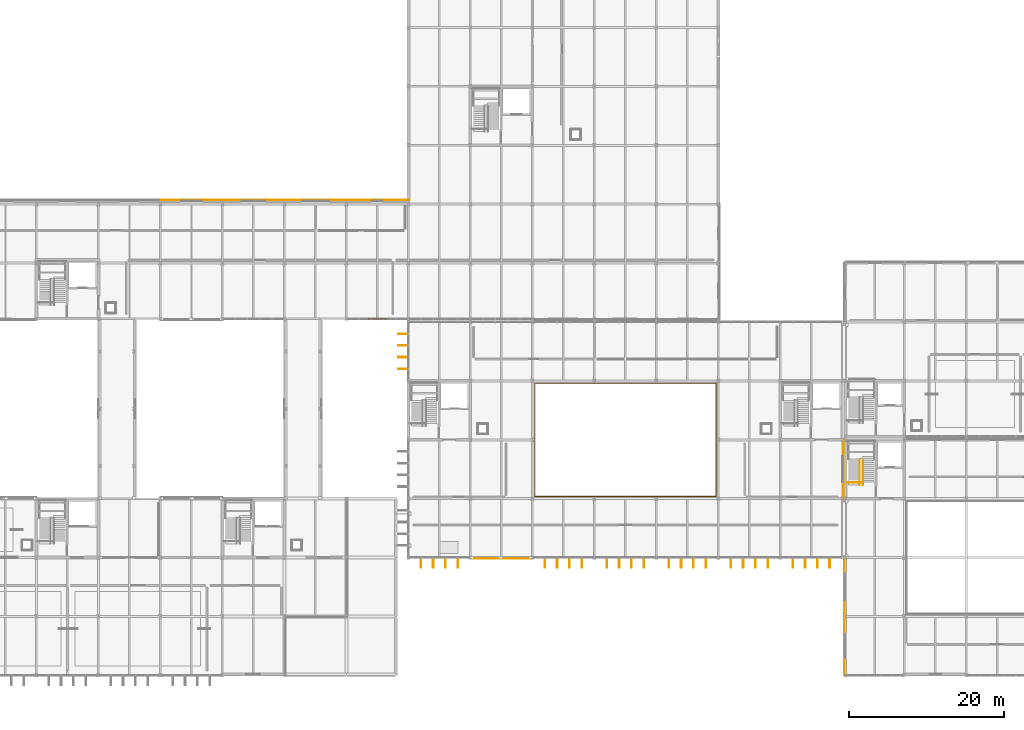
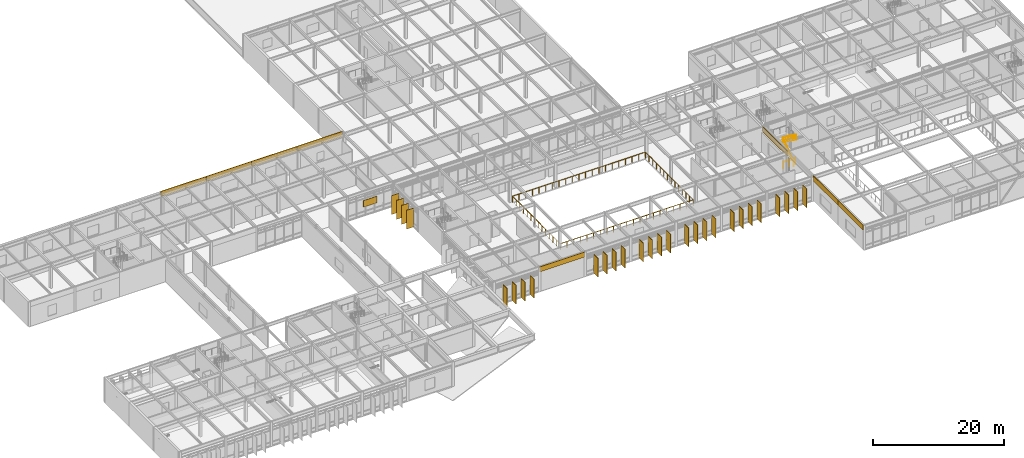
# One storey, part 98 of 104: 29 shading devices, 8 coverings, 4 railings.
"""IFC4 building model written with IfcOpenShell, lengths in metres."""

from ifc_helpers import new_model, si_unit, direction, frame, origin, origin_2d, place, context, subcontext, project, spatial, rectangle, circle, extrude, material, layer, layer_set, type_object, element, save


model = new_model("IFC4")

# Units and contexts
model_context = context("Model", 3, precision=1e-05, world=origin(), true_north=direction((0.0, 1.0)))
body_context = subcontext(model_context, "Body", "Model", "MODEL_VIEW")
ifc_project = project(units=[si_unit("LENGTHUNIT", "METRE"), si_unit("AREAUNIT", "SQUARE_METRE"), si_unit("VOLUMEUNIT", "CUBIC_METRE"), si_unit("PLANEANGLEUNIT", "RADIAN"), si_unit("MASSUNIT", "GRAM", prefix="KILO")], contexts=[model_context])

# Site, building, storey
site_placement = place(None, origin())
site = spatial("IfcSite", under=ifc_project, at=site_placement, CompositionType="ELEMENT")
building_placement = place(site_placement, origin())
building = spatial("IfcBuilding", under=site, at=building_placement, Name="Zulena Civic Courthouse", CompositionType="ELEMENT")
storey_placement = place(building_placement, frame((0.0, 0.0, 10.800048828125)))
storey = spatial("IfcBuildingStorey", under=building, at=storey_placement, Name="L02", CompositionType="ELEMENT", Elevation=10.800048828125)

# Shading devices
ifc_material_1 = material(Name="Bronze anodised thermally broken aluminium AA6063-T6", Category="aluminium")
shading_device_type_1 = type_object("IfcShadingDeviceType", Name="AcousticStormLouvre_1", PredefinedType="JALOUSIE", material=ifc_material_1)
shading_device_placement = place(storey_placement, frame((64.0, 46.0, 1.60009765625), z_axis=(0.0, 0.0, 1.0), x_axis=(1.0, 0.0, 0.0)))
element("IfcShadingDevice", 1, at=shading_device_placement, inside=storey, type_object=shading_device_type_1, Name="louvre:V5:L02", PredefinedType="JALOUSIE", context=body_context, shape_type="SweptSolid", body=[
    extrude(rectangle(XDim=2.39990234375, YDim=0.14990234375, at=origin_2d()), origin(), (0.0, 0.0, 1.0), 1.199951171875),
])
ifc_material_2 = material(Name="Gold anodised architectural aluminium AA6063-T6", Category="aluminium")
shading_device_type_2 = type_object("IfcShadingDeviceType", Name="GoldSolarFin_350", PredefinedType="USERDEFINED", material=ifc_material_2)
for number, where, z_axis, x_axis, name in (
    (2, (67.31494140625, 39.5380859375, 0.050048828125), (0.0, 0.0, 1.0), (-1.0, 0.0, 0.0), "fin:V4:L02:0:3:1"),
    (3, (67.31494140625, 41.0458984375, 0.050048828125), (0.0, 0.0, 1.0), (-1.0, 0.0, 0.0), "fin:V4:L02:0:3:2"),
    (4, (67.31494140625, 42.553955078125, 0.050048828125), (0.0, 0.0, 1.0), (-1.0, 0.0, 0.0), "fin:V4:L02:0:3:3"),
    (5, (67.31494140625, 44.06201171875, 0.050048828125), (0.0, 0.0, 1.0), (-1.0, 0.0, 0.0), "fin:V4:L02:0:3:4"),
    (6, (122.382080078125, 14.514892578125, 0.050048828125), (0.0, 0.0, 1.0), (0.0, -1.0, 0.0), "fin:V4:L02:3:0:1"),
    (7, (120.7939453125, 14.514892578125, 0.050048828125), (0.0, 0.0, 1.0), (0.0, -1.0, 0.0), "fin:V4:L02:3:0:2"),
    (8, (119.2060546875, 14.514892578125, 0.050048828125), (0.0, 0.0, 1.0), (0.0, -1.0, 0.0), "fin:V4:L02:3:0:3"),
    (9, (117.617919921875, 14.514892578125, 0.050048828125), (0.0, 0.0, 1.0), (0.0, -1.0, 0.0), "fin:V4:L02:3:0:4"),
    (10, (114.382080078125, 14.514892578125, 0.050048828125), (0.0, 0.0, 1.0), (0.0, -1.0, 0.0), "fin:V4:L02:3:1:1"),
    (11, (112.7939453125, 14.514892578125, 0.050048828125), (0.0, 0.0, 1.0), (0.0, -1.0, 0.0), "fin:V4:L02:3:1:2"),
    (12, (111.2060546875, 14.514892578125, 0.050048828125), (0.0, 0.0, 1.0), (0.0, -1.0, 0.0), "fin:V4:L02:3:1:3"),
    (13, (109.617919921875, 14.514892578125, 0.050048828125), (0.0, 0.0, 1.0), (0.0, -1.0, 0.0), "fin:V4:L02:3:1:4"),
    (14, (106.382080078125, 14.514892578125, 0.050048828125), (0.0, 0.0, 1.0), (0.0, -1.0, 0.0), "fin:V4:L02:3:2:1"),
    (15, (104.7939453125, 14.514892578125, 0.050048828125), (0.0, 0.0, 1.0), (0.0, -1.0, 0.0), "fin:V4:L02:3:2:2"),
    (16, (103.2060546875, 14.514892578125, 0.050048828125), (0.0, 0.0, 1.0), (0.0, -1.0, 0.0), "fin:V4:L02:3:2:3"),
    (17, (101.617919921875, 14.514892578125, 0.050048828125), (0.0, 0.0, 1.0), (0.0, -1.0, 0.0), "fin:V4:L02:3:2:4"),
    (18, (98.382080078125, 14.514892578125, 0.050048828125), (0.0, 0.0, 1.0), (0.0, -1.0, 0.0), "fin:V4:L02:3:3:1"),
    (19, (96.7939453125, 14.514892578125, 0.050048828125), (0.0, 0.0, 1.0), (0.0, -1.0, 0.0), "fin:V4:L02:3:3:2"),
    (20, (95.2060546875, 14.514892578125, 0.050048828125), (0.0, 0.0, 1.0), (0.0, -1.0, 0.0), "fin:V4:L02:3:3:3"),
    (21, (93.617919921875, 14.514892578125, 0.050048828125), (0.0, 0.0, 1.0), (0.0, -1.0, 0.0), "fin:V4:L02:3:3:4"),
    (22, (90.382080078125, 14.514892578125, 0.050048828125), (0.0, 0.0, 1.0), (0.0, -1.0, 0.0), "fin:V4:L02:3:4:1"),
    (23, (88.7939453125, 14.514892578125, 0.050048828125), (0.0, 0.0, 1.0), (0.0, -1.0, 0.0), "fin:V4:L02:3:4:2"),
    (24, (87.2060546875, 14.514892578125, 0.050048828125), (0.0, 0.0, 1.0), (0.0, -1.0, 0.0), "fin:V4:L02:3:4:3"),
    (25, (85.617919921875, 14.514892578125, 0.050048828125), (0.0, 0.0, 1.0), (0.0, -1.0, 0.0), "fin:V4:L02:3:4:4"),
    (26, (74.382080078125, 14.514892578125, 0.050048828125), (0.0, 0.0, 1.0), (0.0, -1.0, 0.0), "fin:V4:L02:3:6:1"),
    (27, (72.7939453125, 14.514892578125, 0.050048828125), (0.0, 0.0, 1.0), (0.0, -1.0, 0.0), "fin:V4:L02:3:6:2"),
    (28, (71.2060546875, 14.514892578125, 0.050048828125), (0.0, 0.0, 1.0), (0.0, -1.0, 0.0), "fin:V4:L02:3:6:3"),
    (29, (69.617919921875, 14.514892578125, 0.050048828125), (0.0, 0.0, 1.0), (0.0, -1.0, 0.0), "fin:V4:L02:3:6:4"),
):
    element("IfcShadingDevice", number, at=place(storey_placement, frame(where, z_axis=z_axis, x_axis=x_axis)), inside=storey, type_object=shading_device_type_2, Name=name, ObjectType="FIN", PredefinedType="USERDEFINED", context=body_context, shape_type="SweptSolid", body=[
        extrude(rectangle(XDim=1.25, YDim=0.080078125, at=origin_2d()), origin(), (0.0, 0.0, 1.0), 3.5),
    ])

# Railings
ifc_material_3 = material(Name="Brushed architectural steel ASTM A36", Category="steel")
railing_type_1 = type_object("IfcRailingType", Name="InteriorGuardrail_1150", PredefinedType="GUARDRAIL", material=ifc_material_3)
railing_1_placement = place(storey_placement, frame((124.580078125, 24.89990234375, 0.0)))
element("IfcRailing", 30, at=railing_1_placement, inside=storey, type_object=railing_type_1, Name="gr:wells:K1A:L02", PredefinedType="GUARDRAIL", context=body_context, shape_type="SweptSolid", body=[
    extrude(circle(Radius=0.02392578125, at=origin_2d()), frame((0.00390625, 0.0, 1.1259765625), z_axis=(1.0, 0.0, 0.0), x_axis=(0.0, 1.0, 0.0)), (0.0, 0.0, 1.0), 2.11181640625),
    extrude(circle(Radius=0.02099609375, at=origin_2d()), origin(), (0.0, 0.0, 1.0), 1.097900390625),
    extrude(circle(Radius=0.02099609375, at=origin_2d()), frame((1.06005859375, 0.0, 0.0)), (0.0, 0.0, 1.0), 1.097900390625),
    extrude(circle(Radius=0.02099609375, at=origin_2d()), frame((2.119873046875, 0.0, 0.0)), (0.0, 0.0, 1.0), 1.097900390625),
])
railing_2_placement = place(storey_placement, frame((84.300048828125, 23.10009765625, 0.0)))
element("IfcRailing", 31, at=railing_2_placement, inside=storey, type_object=railing_type_1, Name="guard:void:V4:L02:atr", PredefinedType="GUARDRAIL", context=body_context, shape_type="SweptSolid", body=[
    extrude(circle(Radius=0.02392578125, at=origin_2d()), frame((0.00390625, 0.0, 1.1259765625), z_axis=(1.0, 0.0, 0.0), x_axis=(0.0, 1.0, 0.0)), (0.0, 0.0, 1.0), 23.391845703125),
    extrude(circle(Radius=0.02392578125, at=origin_2d()), frame((23.39990234375, 0.00390625, 1.1259765625), z_axis=(0.0, 1.0, 0.0), x_axis=(-1.0, 0.0, 0.0)), (0.0, 0.0, 1.0), 14.591796875),
    extrude(circle(Radius=0.02392578125, at=origin_2d()), frame((23.39599609375, 14.599853515625, 1.1259765625), z_axis=(-1.0, 0.0, 0.0), x_axis=(0.0, -1.0, 0.0)), (0.0, 0.0, 1.0), 23.391845703125),
    extrude(circle(Radius=0.02392578125, at=origin_2d()), frame((0.0, 14.595947265625, 1.1259765625), z_axis=(0.0, -1.0, 0.0), x_axis=(1.0, 0.0, 0.0)), (0.0, 0.0, 1.0), 14.591796875),
    extrude(circle(Radius=0.02099609375, at=origin_2d()), origin(), (0.0, 0.0, 1.0), 1.097900390625),
    extrude(circle(Radius=0.02099609375, at=origin_2d()), frame((1.169921875, 0.0, 0.0)), (0.0, 0.0, 1.0), 1.097900390625),
    extrude(circle(Radius=0.02099609375, at=origin_2d()), frame((2.340087890625, 0.0, 0.0)), (0.0, 0.0, 1.0), 1.097900390625),
    extrude(circle(Radius=0.02099609375, at=origin_2d()), frame((3.510009765625, 0.0, 0.0)), (0.0, 0.0, 1.0), 1.097900390625),
    extrude(circle(Radius=0.02099609375, at=origin_2d()), frame((4.679931640625, 0.0, 0.0)), (0.0, 0.0, 1.0), 1.097900390625),
    extrude(circle(Radius=0.02099609375, at=origin_2d()), frame((5.85009765625, 0.0, 0.0)), (0.0, 0.0, 1.0), 1.097900390625),
    extrude(circle(Radius=0.02099609375, at=origin_2d()), frame((7.02001953125, 0.0, 0.0)), (0.0, 0.0, 1.0), 1.097900390625),
    extrude(circle(Radius=0.02099609375, at=origin_2d()), frame((8.18994140625, 0.0, 0.0)), (0.0, 0.0, 1.0), 1.097900390625),
    extrude(circle(Radius=0.02099609375, at=origin_2d()), frame((9.35986328125, 0.0, 0.0)), (0.0, 0.0, 1.0), 1.097900390625),
    extrude(circle(Radius=0.02099609375, at=origin_2d()), frame((10.530029296875, 0.0, 0.0)), (0.0, 0.0, 1.0), 1.097900390625),
    extrude(circle(Radius=0.02099609375, at=origin_2d()), frame((11.699951171875, 0.0, 0.0)), (0.0, 0.0, 1.0), 1.097900390625),
    extrude(circle(Radius=0.02099609375, at=origin_2d()), frame((12.869873046875, 0.0, 0.0)), (0.0, 0.0, 1.0), 1.097900390625),
    extrude(circle(Radius=0.02099609375, at=origin_2d()), frame((14.0400390625, 0.0, 0.0)), (0.0, 0.0, 1.0), 1.097900390625),
    extrude(circle(Radius=0.02099609375, at=origin_2d()), frame((15.2099609375, 0.0, 0.0)), (0.0, 0.0, 1.0), 1.097900390625),
    extrude(circle(Radius=0.02099609375, at=origin_2d()), frame((16.3798828125, 0.0, 0.0)), (0.0, 0.0, 1.0), 1.097900390625),
    extrude(circle(Radius=0.02099609375, at=origin_2d()), frame((17.5498046875, 0.0, 0.0)), (0.0, 0.0, 1.0), 1.097900390625),
    extrude(circle(Radius=0.02099609375, at=origin_2d()), frame((18.719970703125, 0.0, 0.0)), (0.0, 0.0, 1.0), 1.097900390625),
    extrude(circle(Radius=0.02099609375, at=origin_2d()), frame((19.889892578125, 0.0, 0.0)), (0.0, 0.0, 1.0), 1.097900390625),
    extrude(circle(Radius=0.02099609375, at=origin_2d()), frame((21.059814453125, 0.0, 0.0)), (0.0, 0.0, 1.0), 1.097900390625),
    extrude(circle(Radius=0.02099609375, at=origin_2d()), frame((22.22998046875, 0.0, 0.0)), (0.0, 0.0, 1.0), 1.097900390625),
    extrude(circle(Radius=0.02099609375, at=origin_2d()), frame((23.39990234375, 0.0, 0.0)), (0.0, 0.0, 1.0), 1.097900390625),
    extrude(circle(Radius=0.02099609375, at=origin_2d()), frame((23.39990234375, 1.123046875, 0.0)), (0.0, 0.0, 1.0), 1.097900390625),
    extrude(circle(Radius=0.02099609375, at=origin_2d()), frame((23.39990234375, 2.24609375, 0.0)), (0.0, 0.0, 1.0), 1.097900390625),
    extrude(circle(Radius=0.02099609375, at=origin_2d()), frame((23.39990234375, 3.369140625, 0.0)), (0.0, 0.0, 1.0), 1.097900390625),
    extrude(circle(Radius=0.02099609375, at=origin_2d()), frame((23.39990234375, 4.4921875, 0.0)), (0.0, 0.0, 1.0), 1.097900390625),
    extrude(circle(Radius=0.02099609375, at=origin_2d()), frame((23.39990234375, 5.615234375, 0.0)), (0.0, 0.0, 1.0), 1.097900390625),
    extrude(circle(Radius=0.02099609375, at=origin_2d()), frame((23.39990234375, 6.73828125, 0.0)), (0.0, 0.0, 1.0), 1.097900390625),
    extrude(circle(Radius=0.02099609375, at=origin_2d()), frame((23.39990234375, 7.861572265625, 0.0)), (0.0, 0.0, 1.0), 1.097900390625),
    extrude(circle(Radius=0.02099609375, at=origin_2d()), frame((23.39990234375, 8.984619140625, 0.0)), (0.0, 0.0, 1.0), 1.097900390625),
    extrude(circle(Radius=0.02099609375, at=origin_2d()), frame((23.39990234375, 10.107666015625, 0.0)), (0.0, 0.0, 1.0), 1.097900390625),
    extrude(circle(Radius=0.02099609375, at=origin_2d()), frame((23.39990234375, 11.230712890625, 0.0)), (0.0, 0.0, 1.0), 1.097900390625),
    extrude(circle(Radius=0.02099609375, at=origin_2d()), frame((23.39990234375, 12.353759765625, 0.0)), (0.0, 0.0, 1.0), 1.097900390625),
    extrude(circle(Radius=0.02099609375, at=origin_2d()), frame((23.39990234375, 13.476806640625, 0.0)), (0.0, 0.0, 1.0), 1.097900390625),
    extrude(circle(Radius=0.02099609375, at=origin_2d()), frame((23.39990234375, 14.599853515625, 0.0)), (0.0, 0.0, 1.0), 1.097900390625),
    extrude(circle(Radius=0.02099609375, at=origin_2d()), frame((22.22998046875, 14.599853515625, 0.0)), (0.0, 0.0, 1.0), 1.097900390625),
    extrude(circle(Radius=0.02099609375, at=origin_2d()), frame((21.059814453125, 14.599853515625, 0.0)), (0.0, 0.0, 1.0), 1.097900390625),
    extrude(circle(Radius=0.02099609375, at=origin_2d()), frame((19.889892578125, 14.599853515625, 0.0)), (0.0, 0.0, 1.0), 1.097900390625),
    extrude(circle(Radius=0.02099609375, at=origin_2d()), frame((18.719970703125, 14.599853515625, 0.0)), (0.0, 0.0, 1.0), 1.097900390625),
    extrude(circle(Radius=0.02099609375, at=origin_2d()), frame((17.5498046875, 14.599853515625, 0.0)), (0.0, 0.0, 1.0), 1.097900390625),
    extrude(circle(Radius=0.02099609375, at=origin_2d()), frame((16.3798828125, 14.599853515625, 0.0)), (0.0, 0.0, 1.0), 1.097900390625),
    extrude(circle(Radius=0.02099609375, at=origin_2d()), frame((15.2099609375, 14.599853515625, 0.0)), (0.0, 0.0, 1.0), 1.097900390625),
    extrude(circle(Radius=0.02099609375, at=origin_2d()), frame((14.0400390625, 14.599853515625, 0.0)), (0.0, 0.0, 1.0), 1.097900390625),
    extrude(circle(Radius=0.02099609375, at=origin_2d()), frame((12.869873046875, 14.599853515625, 0.0)), (0.0, 0.0, 1.0), 1.097900390625),
    extrude(circle(Radius=0.02099609375, at=origin_2d()), frame((11.699951171875, 14.599853515625, 0.0)), (0.0, 0.0, 1.0), 1.097900390625),
    extrude(circle(Radius=0.02099609375, at=origin_2d()), frame((10.530029296875, 14.599853515625, 0.0)), (0.0, 0.0, 1.0), 1.097900390625),
    extrude(circle(Radius=0.02099609375, at=origin_2d()), frame((9.35986328125, 14.599853515625, 0.0)), (0.0, 0.0, 1.0), 1.097900390625),
    extrude(circle(Radius=0.02099609375, at=origin_2d()), frame((8.18994140625, 14.599853515625, 0.0)), (0.0, 0.0, 1.0), 1.097900390625),
    extrude(circle(Radius=0.02099609375, at=origin_2d()), frame((7.02001953125, 14.599853515625, 0.0)), (0.0, 0.0, 1.0), 1.097900390625),
    extrude(circle(Radius=0.02099609375, at=origin_2d()), frame((5.85009765625, 14.599853515625, 0.0)), (0.0, 0.0, 1.0), 1.097900390625),
    extrude(circle(Radius=0.02099609375, at=origin_2d()), frame((4.679931640625, 14.599853515625, 0.0)), (0.0, 0.0, 1.0), 1.097900390625),
    extrude(circle(Radius=0.02099609375, at=origin_2d()), frame((3.510009765625, 14.599853515625, 0.0)), (0.0, 0.0, 1.0), 1.097900390625),
    extrude(circle(Radius=0.02099609375, at=origin_2d()), frame((2.340087890625, 14.599853515625, 0.0)), (0.0, 0.0, 1.0), 1.097900390625),
    extrude(circle(Radius=0.02099609375, at=origin_2d()), frame((1.169921875, 14.599853515625, 0.0)), (0.0, 0.0, 1.0), 1.097900390625),
    extrude(circle(Radius=0.02099609375, at=origin_2d()), frame((0.0, 14.599853515625, 0.0)), (0.0, 0.0, 1.0), 1.097900390625),
    extrude(circle(Radius=0.02099609375, at=origin_2d()), frame((0.0, 13.476806640625, 0.0)), (0.0, 0.0, 1.0), 1.097900390625),
    extrude(circle(Radius=0.02099609375, at=origin_2d()), frame((0.0, 12.353759765625, 0.0)), (0.0, 0.0, 1.0), 1.097900390625),
    extrude(circle(Radius=0.02099609375, at=origin_2d()), frame((0.0, 11.230712890625, 0.0)), (0.0, 0.0, 1.0), 1.097900390625),
    extrude(circle(Radius=0.02099609375, at=origin_2d()), frame((0.0, 10.107666015625, 0.0)), (0.0, 0.0, 1.0), 1.097900390625),
    extrude(circle(Radius=0.02099609375, at=origin_2d()), frame((0.0, 8.984619140625, 0.0)), (0.0, 0.0, 1.0), 1.097900390625),
    extrude(circle(Radius=0.02099609375, at=origin_2d()), frame((0.0, 7.861572265625, 0.0)), (0.0, 0.0, 1.0), 1.097900390625),
    extrude(circle(Radius=0.02099609375, at=origin_2d()), frame((0.0, 6.73828125, 0.0)), (0.0, 0.0, 1.0), 1.097900390625),
    extrude(circle(Radius=0.02099609375, at=origin_2d()), frame((0.0, 5.615234375, 0.0)), (0.0, 0.0, 1.0), 1.097900390625),
    extrude(circle(Radius=0.02099609375, at=origin_2d()), frame((0.0, 4.4921875, 0.0)), (0.0, 0.0, 1.0), 1.097900390625),
    extrude(circle(Radius=0.02099609375, at=origin_2d()), frame((0.0, 3.369140625, 0.0)), (0.0, 0.0, 1.0), 1.097900390625),
    extrude(circle(Radius=0.02099609375, at=origin_2d()), frame((0.0, 2.24609375, 0.0)), (0.0, 0.0, 1.0), 1.097900390625),
    extrude(circle(Radius=0.02099609375, at=origin_2d()), frame((0.0, 1.123046875, 0.0)), (0.0, 0.0, 1.0), 1.097900390625),
])

# Coverings
ifc_material_4 = material(Name="White architectural precast concrete C40/50", Category="concrete")
ifc_layer = layer(ifc_material_4, 0.0849609375)
ifc_layer_set = layer_set([ifc_layer], Name="White architectural precast concrete C40/50")
covering_type = type_object("IfcCoveringType", Name="PrecastSpandrelCladding_85", PredefinedType="CLADDING", material=ifc_layer_set)
for number, where, z_axis, x_axis, name in (
    (32, (124.280029296875, 3.800048828125, 3.659912109375), (0.0, 0.0, 1.0), (0.0, 1.0, 0.0), "clad:sp:V1:L02:0:0"),
    (33, (124.280029296875, 11.39990234375, 3.659912109375), (0.0, 0.0, 1.0), (0.0, 1.0, 0.0), "clad:sp:V1:L02:0:1"),
    (34, (124.1201171875, 26.60009765625, 3.659912109375), (0.0, 0.0, 1.0), (0.0, -1.0, 0.0), "clad:sp:V4:L02:2:2"),
):
    element("IfcCovering", number, at=place(storey_placement, frame(where, z_axis=z_axis, x_axis=x_axis)), inside=storey, type_object=covering_type, Name=name, PredefinedType="CLADDING", context=body_context, shape_type="SweptSolid", body=[
        extrude(rectangle(XDim=7.56005859375, YDim=0.0849609375, at=origin_2d()), origin(), (0.0, 0.0, 1.0), 0.93994140625),
    ])
for number, where, z_axis, x_axis, name in (
    (35, (80.0, 15.080078125, 3.659912109375), (0.0, 0.0, 1.0), (-1.0, 0.0, 0.0), "clad:sp:V4:L02:3:5"),
    (36, (40.0, 61.320068359375, 3.659912109375), (0.0, 0.0, 1.0), (1.0, 0.0, 0.0), "clad:sp:V5:L02:1:4"),
    (37, (48.0, 61.320068359375, 3.659912109375), (0.0, 0.0, 1.0), (1.0, 0.0, 0.0), "clad:sp:V5:L02:1:5"),
    (38, (56.0, 61.320068359375, 3.659912109375), (0.0, 0.0, 1.0), (1.0, 0.0, 0.0), "clad:sp:V5:L02:1:6"),
    (39, (64.0, 61.320068359375, 3.659912109375), (0.0, 0.0, 1.0), (1.0, 0.0, 0.0), "clad:sp:V5:L02:1:7"),
):
    element("IfcCovering", number, at=place(storey_placement, frame(where, z_axis=z_axis, x_axis=x_axis)), inside=storey, type_object=covering_type, Name=name, PredefinedType="CLADDING", context=body_context, shape_type="SweptSolid", body=[
        extrude(rectangle(XDim=7.9599609375, YDim=0.0849609375, at=origin_2d()), origin(), (0.0, 0.0, 1.0), 0.93994140625),
    ])

# Railings
railing_type_2 = type_object("IfcRailingType", Name="StairHandrail_920", PredefinedType="HANDRAIL", material=ifc_material_3)
railing_3_placement = place(storey_placement, frame((126.25, 24.580078125, 0.0)))
element("IfcRailing", 40, at=railing_3_placement, inside=storey, type_object=railing_type_2, Name="hr:K1A:L02:1", PredefinedType="HANDRAIL", context=body_context, shape_type="SweptSolid", body=[
    extrude(circle(Radius=0.02392578125, at=origin_2d()), frame((0.0, 0.003173828125, 0.898193359375), z_axis=(0.0, 0.809967530533, 0.586474721946), x_axis=(-1.0, 0.0, 0.0)), (0.0, 0.0, 1.0), 4.083984375),
    extrude(circle(Radius=0.02099609375, at=origin_2d()), origin(), (0.0, 0.0, 1.0), 0.867919921875),
    extrude(circle(Radius=0.02099609375, at=origin_2d()), frame((0.0, 0.82861328125, 0.60009765625)), (0.0, 0.0, 1.0), 0.867919921875),
    extrude(circle(Radius=0.02099609375, at=origin_2d()), frame((0.0, 1.6572265625, 1.199951171875)), (0.0, 0.0, 1.0), 0.867919921875),
    extrude(circle(Radius=0.02099609375, at=origin_2d()), frame((0.0, 2.48583984375, 1.7998046875)), (0.0, 0.0, 1.0), 0.867919921875),
    extrude(circle(Radius=0.02099609375, at=origin_2d()), frame((0.0, 3.314453125, 2.39990234375)), (0.0, 0.0, 1.0), 0.867919921875),
])
railing_4_placement = place(storey_placement, frame((126.64990234375, 27.89453125, 2.39990234375)))
element("IfcRailing", 41, at=railing_4_placement, inside=storey, type_object=railing_type_2, Name="hr:K1A:L02:2", PredefinedType="HANDRAIL", context=body_context, shape_type="SweptSolid", body=[
    extrude(circle(Radius=0.02392578125, at=origin_2d()), frame((0.0, -0.003173828125, 0.898193359375), z_axis=(0.0, -0.809939189741, 0.586513860809), x_axis=(1.0, 0.0, 0.0)), (0.0, 0.0, 1.0), 4.084228515625),
    extrude(circle(Radius=0.02099609375, at=origin_2d()), origin(), (0.0, 0.0, 1.0), 0.867919921875),
    extrude(circle(Radius=0.02099609375, at=origin_2d()), frame((0.0, -0.82861328125, 0.60009765625)), (0.0, 0.0, 1.0), 0.867919921875),
    extrude(circle(Radius=0.02099609375, at=origin_2d()), frame((0.0, -1.6572265625, 1.2001953125)), (0.0, 0.0, 1.0), 0.867919921875),
    extrude(circle(Radius=0.02099609375, at=origin_2d()), frame((0.0, -2.48583984375, 1.800048828125)), (0.0, 0.0, 1.0), 0.867919921875),
    extrude(circle(Radius=0.02099609375, at=origin_2d()), frame((0.0, -3.314453125, 2.400146484375)), (0.0, 0.0, 1.0), 0.867919921875),
])

save(model, "model.ifc")
